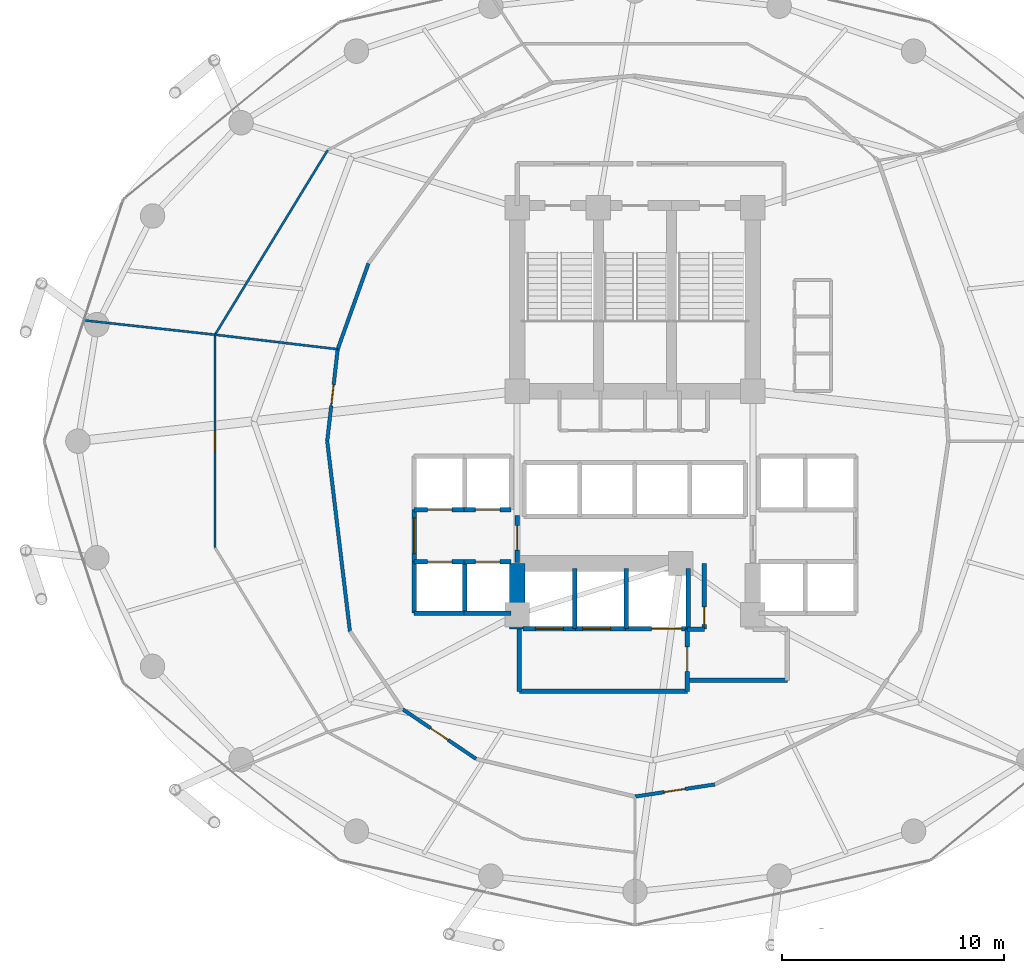
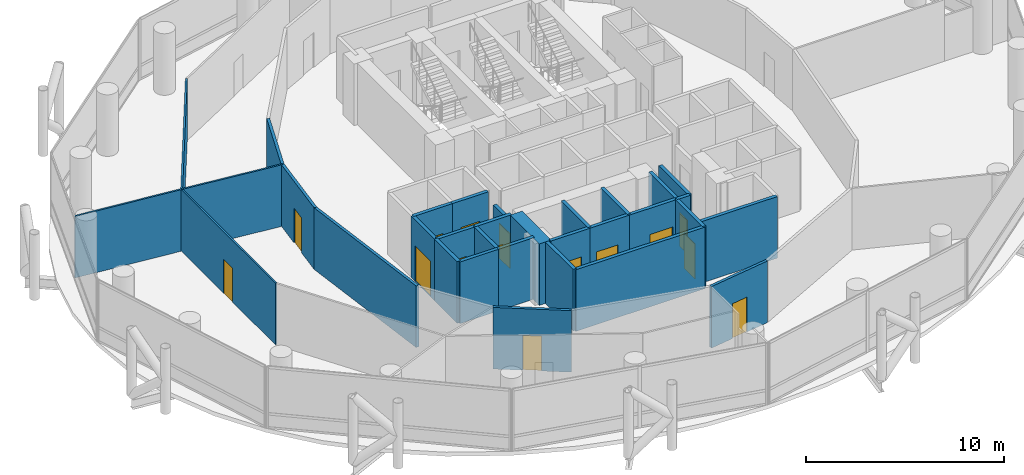
# One storey, part 21 of 25: 32 walls, 15 doors, 15 openings.
"""IFC4 building model written with IfcOpenShell, lengths in metres."""

from ifc_helpers import new_model, si_unit, direction, frame, frame_2d, origin, place, context, subcontext, project, spatial, rectangle, extrude, material, layer, layer_set, type_object, element, fill, save


model = new_model("IFC4")

# Units and contexts
model_context = context("Model", 3, precision=1e-05, world=origin(), true_north=direction((0.0, 1.0)))
body_context = subcontext(model_context, "Body", "Model", "MODEL_VIEW")
ifc_project = project(units=[si_unit("LENGTHUNIT", "METRE"), si_unit("AREAUNIT", "SQUARE_METRE"), si_unit("VOLUMEUNIT", "CUBIC_METRE"), si_unit("PLANEANGLEUNIT", "RADIAN"), si_unit("MASSUNIT", "GRAM", prefix="KILO")], contexts=[model_context])

# Site, building, storey
site_placement = place(None, origin())
site = spatial("IfcSite", under=ifc_project, at=site_placement, CompositionType="ELEMENT")
building_placement = place(site_placement, origin())
building = spatial("IfcBuilding", under=site, at=building_placement, Name="Nuhasar Tower", CompositionType="ELEMENT")
storey_placement = place(building_placement, frame((0.0, 0.0, 65.550048828125)))
storey = spatial("IfcBuildingStorey", under=building, at=storey_placement, Name="L15", CompositionType="ELEMENT", Elevation=65.550048828125)

# Walls
ifc_material_1 = material(Name="Concrete C65/80", Category="concrete")
ifc_layer_1 = layer(ifc_material_1, 0.699951171875)
ifc_layer_set_1 = layer_set([ifc_layer_1], Name="Concrete C65/80")
wall_type_1 = type_object("IfcWallType", Name="WL-CORE-700", PredefinedType="SHEAR", material=ifc_layer_set_1)
wall_1_placement = place(storey_placement, frame((33.699951171875, 18.35009765625, 0.0), z_axis=(0.0, 0.0, 1.0), x_axis=(0.0, 1.0, 0.0)))
element("IfcWall", 1, at=wall_1_placement, inside=storey, type_object=wall_type_1, Name="L15 Core Shear Wall CW-SW CW-700", PredefinedType="SHEAR", context=body_context, shape_type="SweptSolid", body=[
    extrude(rectangle(XDim=2.949951171875, YDim=0.699951171875, at=frame_2d((1.47509765625, 0.0))), origin(), (0.0, 0.0, 1.0), 3.800048828125),
])
ifc_material_2 = material(Name="Gypsum Board", Category="gypsum")
ifc_layer_2 = layer(ifc_material_2, 0.159912109375)
ifc_layer_set_2 = layer_set([ifc_layer_2], Name="Gypsum Board")
wall_type_2 = type_object("IfcWallType", Name="WL-CORR-160", PredefinedType="PARTITIONING", material=ifc_layer_set_2)
wall_2_placement = place(storey_placement, frame((27.013916015625, 34.7900390625, 0.0), z_axis=(0.0, 0.0, 1.0), x_axis=(-0.337507156162, -0.941322962399, 0.0)))
element("IfcWall", 2, at=wall_2_placement, inside=storey, type_object=wall_type_2, Name="L15 Interior Partition CORR-20", PredefinedType="PARTITIONING", context=body_context, shape_type="SweptSolid", body=[
    extrude(rectangle(XDim=4.09423828125, YDim=0.159912109375, at=frame_2d((2.047119140625, 0.0))), origin(), (0.0, 0.0, 1.0), 3.800048828125),
])

# Wall, opening, door
wall_3_placement = place(storey_placement, frame((25.159912109375, 26.800048828125, 0.0), z_axis=(0.0, 0.0, 1.0), x_axis=(0.113424191486, 0.993546653553, 0.0)))
wall_3 = element("IfcWall", 3, at=wall_3_placement, inside=storey, type_object=wall_type_2, Name="L15 Interior Partition CORR-22", PredefinedType="PARTITIONING", context=body_context, shape_type="SweptSolid", body=[
    extrude(rectangle(XDim=4.162841796875, YDim=0.159912109375, at=frame_2d((2.08154296875, 0.0))), origin(), (0.0, 0.0, 1.0), 3.800048828125),
])
opening_1_placement = place(wall_3_placement, frame((1.60595703125, 0.0, 0.0)))
opening_1 = element("IfcOpeningElement", 4, at=opening_1_placement, cuts=wall_3, Name="Opening DO-01", PredefinedType="OPENING", context=body_context, shape_type="SweptSolid", body=[
    extrude(rectangle(XDim=0.949951171875, YDim=2.14990234375, at=frame_2d((0.47509765625, 1.074951171875))), frame((0.0, 0.08984375, 0.0), z_axis=(0.0, -1.0, 0.0), x_axis=(1.0, 0.0, 0.0)), (0.0, 0.0, 1.0), 0.179931640625),
])
ifc_material_3 = material(Name="Timber Oak", Category="wood")
door_type_1 = type_object("IfcDoorType", Name="DR-OFFICE-FD30-950", OperationType="NOTDEFINED", PredefinedType="DOOR", material=ifc_material_3)
door_1_placement = place(opening_1_placement, origin())
door_1 = element("IfcDoor", 5, at=door_1_placement, inside=storey, type_object=door_type_1, Name="L15 Risk Committee Meeting Room Entry Door", OperationType="SINGLE_SWING_LEFT", OverallHeight=2.14990234375, OverallWidth=0.949951171875, PredefinedType="DOOR", context=body_context, shape_type="SweptSolid", body=[
    extrude(rectangle(XDim=0.949951171875, YDim=2.14990234375, at=frame_2d((0.47509765625, 1.074951171875))), frame((0.0, 0.02490234375, 0.0), z_axis=(0.0, -1.0, 0.0), x_axis=(1.0, 0.0, 0.0)), (0.0, 0.0, 1.0), 0.050048828125),
])
fill(opening_1, door_1)

# Wall
wall_4_placement = place(storey_placement, frame((25.159912109375, 26.800048828125, 0.0), z_axis=(0.0, 0.0, 1.0), x_axis=(0.11875033489, -0.992924145121, 0.0)))
element("IfcWall", 6, at=wall_4_placement, inside=storey, type_object=wall_type_2, Name="L15 Interior Partition CORR-24", PredefinedType="PARTITIONING", context=body_context, shape_type="SweptSolid", body=[
    extrude(rectangle(XDim=8.60595703125, YDim=0.159912109375, at=frame_2d((4.302978515625, 0.0))), origin(), (0.0, 0.0, 1.0), 3.800048828125),
])

# Wall, opening, door
wall_5_placement = place(storey_placement, frame((31.85595703125, 12.513916015625, 0.0), z_axis=(0.0, 0.0, 1.0), x_axis=(-0.828313553284, 0.560264810108, 0.0)))
wall_5 = element("IfcWall", 7, at=wall_5_placement, inside=storey, type_object=wall_type_2, Name="L15 Interior Partition CORR-30", PredefinedType="PARTITIONING", context=body_context, shape_type="SweptSolid", body=[
    extrude(rectangle(XDim=3.980224609375, YDim=0.159912109375, at=frame_2d((1.990234375, 0.0))), origin(), (0.0, 0.0, 1.0), 3.800048828125),
])
opening_2_placement = place(wall_5_placement, frame((1.514892578125, 0.0, 0.0)))
opening_2 = element("IfcOpeningElement", 8, at=opening_2_placement, cuts=wall_5, Name="Opening DO-01", PredefinedType="OPENING", context=body_context, shape_type="SweptSolid", body=[
    extrude(rectangle(XDim=0.949951171875, YDim=2.14990234375, at=frame_2d((0.47509765625, 1.074951171875))), frame((0.0, 0.08984375, 0.0), z_axis=(0.0, -1.0, 0.0), x_axis=(1.0, 0.0, 0.0)), (0.0, 0.0, 1.0), 0.179931640625),
])
door_2_placement = place(opening_2_placement, origin())
door_2 = element("IfcDoor", 9, at=door_2_placement, inside=storey, type_object=door_type_1, Name="L15 Econometrics Research Office Entry Door", OperationType="SINGLE_SWING_RIGHT", OverallHeight=2.14990234375, OverallWidth=0.949951171875, PredefinedType="DOOR", context=body_context, shape_type="SweptSolid", body=[
    extrude(rectangle(XDim=0.949951171875, YDim=2.14990234375, at=frame_2d((0.47509765625, 1.074951171875))), frame((0.0, 0.02490234375, 0.0), z_axis=(0.0, -1.0, 0.0), x_axis=(1.0, 0.0, 0.0)), (0.0, 0.0, 1.0), 0.050048828125),
])
fill(opening_2, door_2)

wall_6_placement = place(storey_placement, frame((42.58203125, 11.364990234375, 0.0), z_axis=(0.0, 0.0, 1.0), x_axis=(-0.988625807883, -0.150396183424, 0.0)))
wall_6 = element("IfcWall", 10, at=wall_6_placement, inside=storey, type_object=wall_type_2, Name="L15 Interior Partition CORR-36", PredefinedType="PARTITIONING", context=body_context, shape_type="SweptSolid", body=[
    extrude(rectangle(XDim=3.623291015625, YDim=0.159912109375, at=frame_2d((1.8115234375, 0.0))), origin(), (0.0, 0.0, 1.0), 3.800048828125),
])
opening_3_placement = place(wall_6_placement, frame((1.3369140625, 0.0, 0.0)))
opening_3 = element("IfcOpeningElement", 11, at=opening_3_placement, cuts=wall_6, Name="Opening DO-01", PredefinedType="OPENING", context=body_context, shape_type="SweptSolid", body=[
    extrude(rectangle(XDim=0.949951171875, YDim=2.14990234375, at=frame_2d((0.47509765625, 1.074951171875))), frame((0.0, 0.08984375, 0.0), z_axis=(0.0, -1.0, 0.0), x_axis=(1.0, 0.0, 0.0)), (0.0, 0.0, 1.0), 0.179931640625),
])
door_3_placement = place(opening_3_placement, origin())
door_3 = element("IfcDoor", 12, at=door_3_placement, inside=storey, type_object=door_type_1, Name="L15 Trader Bistro Pantry Entry Door", OperationType="SINGLE_SWING_RIGHT", OverallHeight=2.14990234375, OverallWidth=0.949951171875, PredefinedType="DOOR", context=body_context, shape_type="SweptSolid", body=[
    extrude(rectangle(XDim=0.949951171875, YDim=2.14990234375, at=frame_2d((0.47509765625, 1.074951171875))), frame((0.0, 0.02490234375, 0.0), z_axis=(0.0, -1.0, 0.0), x_axis=(1.0, 0.0, 0.0)), (0.0, 0.0, 1.0), 0.050048828125),
])
fill(opening_3, door_3)

ifc_material_4 = material(Name="Concrete C45/55", Category="concrete")
ifc_layer_3 = layer(ifc_material_4, 0.199951171875)
ifc_layer_set_3 = layer_set([ifc_layer_3], Name="Concrete C45/55")
wall_type_3 = type_object("IfcWallType", Name="WL-LOBBY-200", PredefinedType="SOLIDWALL", material=ifc_layer_set_3)
wall_7_placement = place(storey_placement, frame((29.070068359375, 21.3798828125, 0.0), z_axis=(0.0, 0.0, 1.0), x_axis=(0.0, 1.0, 0.0)))
wall_7 = element("IfcWall", 13, at=wall_7_placement, inside=storey, type_object=wall_type_3, Name="L15 Interior Partition LLBL-W", PredefinedType="SOLIDWALL", context=body_context, shape_type="SweptSolid", body=[
    extrude(rectangle(XDim=2.340087890625, YDim=0.199951171875, at=frame_2d((1.169921875, 0.0))), origin(), (0.0, 0.0, 1.0), 3.800048828125),
])
opening_4_placement = place(wall_7_placement, frame((0.3701171875, 0.0, 0.0)))
opening_4 = element("IfcOpeningElement", 14, at=opening_4_placement, cuts=wall_7, Name="Opening DC-01", PredefinedType="OPENING", context=body_context, shape_type="SweptSolid", body=[
    extrude(rectangle(XDim=1.60009765625, YDim=2.199951171875, at=frame_2d((0.800048828125, 1.10009765625))), frame((0.0, 0.10986328125, 0.0), z_axis=(0.0, -1.0, 0.0), x_axis=(1.0, 0.0, 0.0)), (0.0, 0.0, 1.0), 0.219970703125),
])
ifc_material_5 = material(Name="Steel S355", Category="steel")
door_type_2 = type_object("IfcDoorType", Name="DR-CORR-FD60-1600", OperationType="DOUBLE_DOOR_SINGLE_SWING", PredefinedType="DOOR", material=ifc_material_5)
door_4_placement = place(opening_4_placement, origin())
door_4 = element("IfcDoor", 15, at=door_4_placement, inside=storey, type_object=door_type_2, Name="L15 Low-Rise Lift Lobby West Entry", OperationType="DOUBLE_DOOR_SINGLE_SWING", OverallHeight=2.199951171875, OverallWidth=1.60009765625, PredefinedType="DOOR", context=body_context, shape_type="SweptSolid", body=[
    extrude(rectangle(XDim=1.60009765625, YDim=2.199951171875, at=frame_2d((0.800048828125, 1.10009765625))), frame((0.0, 0.02490234375, 0.0), z_axis=(0.0, -1.0, 0.0), x_axis=(1.0, 0.0, 0.0)), (0.0, 0.0, 1.0), 0.050048828125),
])
fill(opening_4, door_4)

wall_8_placement = place(storey_placement, frame((33.699951171875, 21.35009765625, 0.0), z_axis=(0.0, 0.0, 1.0), x_axis=(0.0, 1.0, 0.0)))
wall_8 = element("IfcWall", 16, at=wall_8_placement, inside=storey, type_object=wall_type_3, Name="L15 Interior Partition LLBH-W", PredefinedType="SOLIDWALL", context=body_context, shape_type="SweptSolid", body=[
    extrude(rectangle(XDim=2.099853515625, YDim=0.199951171875, at=frame_2d((1.0498046875, 0.0))), origin(), (0.0, 0.0, 1.0), 3.02001953125),
])
opening_5_placement = place(wall_8_placement, frame((0.550048828125, 0.0, 0.0)))
opening_5 = element("IfcOpeningElement", 17, at=opening_5_placement, cuts=wall_8, Name="Opening DS-02", PredefinedType="OPENING", context=body_context, shape_type="SweptSolid", body=[
    extrude(rectangle(XDim=1.10009765625, YDim=2.14990234375, at=frame_2d((0.550048828125, 1.074951171875))), frame((0.0, 0.10986328125, 0.0), z_axis=(0.0, -1.0, 0.0), x_axis=(1.0, 0.0, 0.0)), (0.0, 0.0, 1.0), 0.219970703125),
])
door_type_3 = type_object("IfcDoorType", Name="DR-FFL-FD120-1100", OperationType="NOTDEFINED", PredefinedType="DOOR", material=ifc_material_5)
door_5_placement = place(opening_5_placement, origin())
door_5 = element("IfcDoor", 18, at=door_5_placement, inside=storey, type_object=door_type_3, Name="L15 High-Rise Lobby West Door", OperationType="SINGLE_SWING_RIGHT", OverallHeight=2.14990234375, OverallWidth=1.10009765625, PredefinedType="DOOR", context=body_context, shape_type="SweptSolid", body=[
    extrude(rectangle(XDim=1.10009765625, YDim=2.14990234375, at=frame_2d((0.550048828125, 1.074951171875))), frame((0.0, 0.02490234375, 0.0), z_axis=(0.0, -1.0, 0.0), x_axis=(1.0, 0.0, 0.0)), (0.0, 0.0, 1.0), 0.050048828125),
])
fill(opening_5, door_5)

# Walls
wall_9_placement = place(storey_placement, frame((33.800048828125, 15.550048828125, 0.0), z_axis=(0.0, 0.0, 1.0), x_axis=(1.0, 0.0, 0.0)))
element("IfcWall", 19, at=wall_9_placement, inside=storey, type_object=wall_type_3, Name="L15 Interior Partition FFL-S", PredefinedType="SOLIDWALL", context=body_context, shape_type="SweptSolid", body=[
    extrude(rectangle(XDim=7.550048828125, YDim=0.199951171875, at=frame_2d((3.77490234375, 0.0))), origin(), (0.0, 0.0, 1.0), 3.800048828125),
])
wall_10_placement = place(storey_placement, frame((33.800048828125, 15.550048828125, 0.0), z_axis=(0.0, 0.0, 1.0), x_axis=(0.0, 1.0, 0.0)))
element("IfcWall", 20, at=wall_10_placement, inside=storey, type_object=wall_type_3, Name="L15 Interior Partition FFL-W", PredefinedType="SOLIDWALL", context=body_context, shape_type="SweptSolid", body=[
    extrude(rectangle(XDim=2.800048828125, YDim=0.199951171875, at=frame_2d((1.39990234375, 0.0))), origin(), (0.0, 0.0, 1.0), 3.800048828125),
])

# Wall, opening, door
wall_11_placement = place(storey_placement, frame((41.35009765625, 15.550048828125, 0.0), z_axis=(0.0, 0.0, 1.0), x_axis=(0.0, 1.0, 0.0)))
wall_11 = element("IfcWall", 21, at=wall_11_placement, inside=storey, type_object=wall_type_3, Name="L15 Interior Partition FFL-E", PredefinedType="SOLIDWALL", context=body_context, shape_type="SweptSolid", body=[
    extrude(rectangle(XDim=2.800048828125, YDim=0.199951171875, at=frame_2d((1.39990234375, 0.0))), origin(), (0.0, 0.0, 1.0), 3.800048828125),
])
opening_6_placement = place(wall_11_placement, frame((0.89990234375, 0.0, 0.0)))
opening_6 = element("IfcOpeningElement", 22, at=opening_6_placement, cuts=wall_11, Name="Opening DS-02", PredefinedType="OPENING", context=body_context, shape_type="SweptSolid", body=[
    extrude(rectangle(XDim=1.10009765625, YDim=2.14990234375, at=frame_2d((0.550048828125, 1.074951171875))), frame((0.0, 0.10986328125, 0.0), z_axis=(0.0, -1.0, 0.0), x_axis=(1.0, 0.0, 0.0)), (0.0, 0.0, 1.0), 0.219970703125),
])
door_6_placement = place(opening_6_placement, origin())
door_6 = element("IfcDoor", 23, at=door_6_placement, inside=storey, type_object=door_type_3, Name="L15 Firefighting Lobby Door", OperationType="SINGLE_SWING_RIGHT", OverallHeight=2.14990234375, OverallWidth=1.10009765625, PredefinedType="DOOR", context=body_context, shape_type="SweptSolid", body=[
    extrude(rectangle(XDim=1.10009765625, YDim=2.14990234375, at=frame_2d((0.550048828125, 1.074951171875))), frame((0.0, 0.02490234375, 0.0), z_axis=(0.0, -1.0, 0.0), x_axis=(1.0, 0.0, 0.0)), (0.0, 0.0, 1.0), 0.050048828125),
])
fill(opening_6, door_6)

# Walls
wall_12_placement = place(storey_placement, frame((41.35009765625, 16.050048828125, 0.0), z_axis=(0.0, 0.0, 1.0), x_axis=(1.0, 0.0, 0.0)))
element("IfcWall", 24, at=wall_12_placement, inside=storey, type_object=wall_type_3, Name="L15 Interior Partition SVLV-S", PredefinedType="SOLIDWALL", context=body_context, shape_type="SweptSolid", body=[
    extrude(rectangle(XDim=4.5, YDim=0.199951171875, at=frame_2d((2.25, 0.0))), origin(), (0.0, 0.0, 1.0), 3.800048828125),
])
ifc_material_6 = material(Name="Aluminium 6063-T6", Category="aluminium")
ifc_layer_4 = layer(ifc_material_6, 0.10009765625)
ifc_layer_set_4 = layer_set([ifc_layer_4], Name="Aluminium 6063-T6")
wall_type_4 = type_object("IfcWallType", Name="WL-MOVABLE-100", PredefinedType="MOVABLE", material=ifc_layer_set_4)
wall_13_placement = place(storey_placement, frame((25.176025390625, 39.8798828125, 0.0), z_axis=(0.0, 0.0, 1.0), x_axis=(-0.520904998728, -0.853614656798, 0.0)))
element("IfcWall", 25, at=wall_13_placement, inside=storey, type_object=wall_type_4, Name="L15 Interior Partition OMID-03-18", PredefinedType="MOVABLE", context=body_context, shape_type="SweptSolid", body=[
    extrude(rectangle(XDim=9.7138671875, YDim=0.10009765625, at=frame_2d((4.85693359375, 0.0))), origin(), (0.0, 0.0, 1.0), 3.800048828125),
])
wall_14_placement = place(storey_placement, frame((25.632080078125, 30.93603515625, 0.0), z_axis=(0.0, 0.0, 1.0), x_axis=(-0.993089865622, 0.117356375197, 0.0)))
element("IfcWall", 26, at=wall_14_placement, inside=storey, type_object=wall_type_4, Name="L15 Interior Partition ORAD-22-S1", PredefinedType="MOVABLE", context=body_context, shape_type="SweptSolid", body=[
    extrude(rectangle(XDim=5.554443359375, YDim=0.10009765625, at=frame_2d((2.77734375, 0.0))), origin(), (0.0, 0.0, 1.0), 3.800048828125),
])
wall_15_placement = place(storey_placement, frame((20.115966796875, 31.587890625, 0.0), z_axis=(0.0, 0.0, 1.0), x_axis=(-0.994040689629, 0.109009666368, 0.0)))
element("IfcWall", 27, at=wall_15_placement, inside=storey, type_object=wall_type_4, Name="L15 Interior Partition ORAD-22-S2", PredefinedType="MOVABLE", context=body_context, shape_type="SweptSolid", body=[
    extrude(rectangle(XDim=5.899169921875, YDim=0.10009765625, at=frame_2d((2.94970703125, 0.0))), origin(), (0.0, 0.0, 1.0), 3.800048828125),
])

# Wall, opening, door
wall_16_placement = place(storey_placement, frame((20.115966796875, 22.011962890625, 0.0), z_axis=(0.0, 0.0, 1.0), x_axis=(0.0, 1.0, 0.0)))
wall_16 = element("IfcWall", 28, at=wall_16_placement, inside=storey, type_object=wall_type_4, Name="L15 Interior Partition OMID-04-22", PredefinedType="MOVABLE", context=body_context, shape_type="SweptSolid", body=[
    extrude(rectangle(XDim=9.575927734375, YDim=0.10009765625, at=frame_2d((4.7880859375, 0.0))), origin(), (0.0, 0.0, 1.0), 3.800048828125),
])
opening_7_placement = place(wall_16_placement, frame((4.337890625, 0.0, 0.0)))
opening_7 = element("IfcOpeningElement", 29, at=opening_7_placement, cuts=wall_16, Name="Opening DR-01", PredefinedType="OPENING", context=body_context, shape_type="SweptSolid", body=[
    extrude(rectangle(XDim=0.89990234375, YDim=2.10009765625, at=frame_2d((0.449951171875, 1.050048828125))), frame((0.0, 0.06005859375, 0.0), z_axis=(0.0, -1.0, 0.0), x_axis=(1.0, 0.0, 0.0)), (0.0, 0.0, 1.0), 0.1201171875),
])
door_type_4 = type_object("IfcDoorType", Name="DR-ROOM-900", OperationType="NOTDEFINED", PredefinedType="DOOR", material=ifc_material_3)
door_7_placement = place(opening_7_placement, origin())
door_7 = element("IfcDoor", 30, at=door_7_placement, inside=storey, type_object=door_type_4, Name="L15 Risk Committee Meeting Room Inner Door", OperationType="SINGLE_SWING_LEFT", OverallHeight=2.10009765625, OverallWidth=0.89990234375, PredefinedType="DOOR", context=body_context, shape_type="SweptSolid", body=[
    extrude(rectangle(XDim=0.89990234375, YDim=2.10009765625, at=frame_2d((0.449951171875, 1.050048828125))), frame((0.0, 0.02490234375, 0.0), z_axis=(0.0, -1.0, 0.0), x_axis=(1.0, 0.0, 0.0)), (0.0, 0.0, 1.0), 0.050048828125),
])
fill(opening_7, door_7)

ifc_layer_5 = layer(ifc_material_4, 0.199951171875)
ifc_layer_set_5 = layer_set([ifc_layer_5], Name="Concrete C45/55")
wall_type_5 = type_object("IfcWallType", Name="WL-SHAFT-200", PredefinedType="SOLIDWALL", material=ifc_layer_set_5)
wall_17_placement = place(storey_placement, frame((29.070068359375, 23.719970703125, 0.0), z_axis=(0.0, 0.0, 1.0), x_axis=(1.0, 0.0, 0.0)))
wall_17 = element("IfcWall", 31, at=wall_17_placement, inside=storey, type_object=wall_type_5, Name="L15 Interior Partition SHF-PL-L01-S", PredefinedType="SOLIDWALL", context=body_context, shape_type="SweptSolid", body=[
    extrude(rectangle(XDim=2.309814453125, YDim=0.199951171875, at=frame_2d((1.15478515625, 0.0))), origin(), (0.0, 0.0, 1.0), 3.800048828125),
])
opening_8_placement = place(wall_17_placement, frame((0.60498046875, 0.0, 0.0)))
opening_8 = element("IfcOpeningElement", 32, at=opening_8_placement, cuts=wall_17, Name="Opening LD-L01", PredefinedType="OPENING", context=body_context, shape_type="SweptSolid", body=[
    extrude(rectangle(XDim=1.10009765625, YDim=2.14990234375, at=frame_2d((0.550048828125, 1.074951171875))), frame((0.0, 0.10986328125, 0.0), z_axis=(0.0, -1.0, 0.0), x_axis=(1.0, 0.0, 0.0)), (0.0, 0.0, 1.0), 0.219970703125),
])
ifc_material_7 = material(Name="Stainless Steel 316L", Category="steel")
door_type_5 = type_object("IfcDoorType", Name="LD-PAX-1100", OperationType="DOUBLE_DOOR_SLIDING", PredefinedType="DOOR", material=ifc_material_7)
door_8_placement = place(opening_8_placement, origin())
door_8 = element("IfcDoor", 33, at=door_8_placement, inside=storey, type_object=door_type_5, Name="L15 Lift Landing Door PL-L01", OperationType="DOUBLE_DOOR_SLIDING", OverallHeight=2.14990234375, OverallWidth=1.10009765625, PredefinedType="DOOR", context=body_context, shape_type="SweptSolid", body=[
    extrude(rectangle(XDim=1.10009765625, YDim=2.14990234375, at=frame_2d((0.550048828125, 1.074951171875))), frame((0.0, 0.02490234375, 0.0), z_axis=(0.0, -1.0, 0.0), x_axis=(1.0, 0.0, 0.0)), (0.0, 0.0, 1.0), 0.050048828125),
])
fill(opening_8, door_8)

wall_18_placement = place(storey_placement, frame((31.320068359375, 23.719970703125, 0.0), z_axis=(0.0, 0.0, 1.0), x_axis=(1.0, 0.0, 0.0)))
wall_18 = element("IfcWall", 34, at=wall_18_placement, inside=storey, type_object=wall_type_5, Name="L15 Interior Partition SHF-PL-L02-S", PredefinedType="SOLIDWALL", context=body_context, shape_type="SweptSolid", body=[
    extrude(rectangle(XDim=2.10986328125, YDim=0.199951171875, at=frame_2d((1.054931640625, 0.0))), origin(), (0.0, 0.0, 1.0), 3.800048828125),
])
opening_9_placement = place(wall_18_placement, frame((0.5048828125, 0.0, 0.0)))
opening_9 = element("IfcOpeningElement", 35, at=opening_9_placement, cuts=wall_18, Name="Opening LD-L02", PredefinedType="OPENING", context=body_context, shape_type="SweptSolid", body=[
    extrude(rectangle(XDim=1.10009765625, YDim=2.14990234375, at=frame_2d((0.550048828125, 1.074951171875))), frame((0.0, 0.10986328125, 0.0), z_axis=(0.0, -1.0, 0.0), x_axis=(1.0, 0.0, 0.0)), (0.0, 0.0, 1.0), 0.219970703125),
])
door_9_placement = place(opening_9_placement, origin())
door_9 = element("IfcDoor", 36, at=door_9_placement, inside=storey, type_object=door_type_5, Name="L15 Lift Landing Door PL-L02", OperationType="DOUBLE_DOOR_SLIDING", OverallHeight=2.14990234375, OverallWidth=1.10009765625, PredefinedType="DOOR", context=body_context, shape_type="SweptSolid", body=[
    extrude(rectangle(XDim=1.10009765625, YDim=2.14990234375, at=frame_2d((0.550048828125, 1.074951171875))), frame((0.0, 0.02490234375, 0.0), z_axis=(0.0, -1.0, 0.0), x_axis=(1.0, 0.0, 0.0)), (0.0, 0.0, 1.0), 0.050048828125),
])
fill(opening_9, door_9)

# Wall
wall_19_placement = place(storey_placement, frame((29.070068359375, 19.070068359375, 0.0), z_axis=(0.0, 0.0, 1.0), x_axis=(1.0, 0.0, 0.0)))
element("IfcWall", 37, at=wall_19_placement, inside=storey, type_object=wall_type_5, Name="L15 Interior Partition SHF-PL-L03-S", PredefinedType="SOLIDWALL", context=body_context, shape_type="SweptSolid", body=[
    extrude(rectangle(XDim=2.309814453125, YDim=0.199951171875, at=frame_2d((1.15478515625, 0.0))), origin(), (0.0, 0.0, 1.0), 3.800048828125),
])

# Wall, opening, door
wall_20_placement = place(storey_placement, frame((29.070068359375, 21.3798828125, 0.0), z_axis=(0.0, 0.0, 1.0), x_axis=(1.0, 0.0, 0.0)))
wall_20 = element("IfcWall", 38, at=wall_20_placement, inside=storey, type_object=wall_type_5, Name="L15 Interior Partition SHF-PL-L03-N", PredefinedType="SOLIDWALL", context=body_context, shape_type="SweptSolid", body=[
    extrude(rectangle(XDim=2.309814453125, YDim=0.199951171875, at=frame_2d((1.15478515625, 0.0))), origin(), (0.0, 0.0, 1.0), 3.800048828125),
])
opening_10_placement = place(wall_20_placement, frame((0.60498046875, 0.0, 0.0)))
opening_10 = element("IfcOpeningElement", 39, at=opening_10_placement, cuts=wall_20, Name="Opening LD-L03", PredefinedType="OPENING", context=body_context, shape_type="SweptSolid", body=[
    extrude(rectangle(XDim=1.10009765625, YDim=2.14990234375, at=frame_2d((0.550048828125, 1.074951171875))), frame((0.0, 0.10986328125, 0.0), z_axis=(0.0, -1.0, 0.0), x_axis=(1.0, 0.0, 0.0)), (0.0, 0.0, 1.0), 0.219970703125),
])
door_10_placement = place(opening_10_placement, origin())
door_10 = element("IfcDoor", 40, at=door_10_placement, inside=storey, type_object=door_type_5, Name="L15 Lift Landing Door PL-L03", OperationType="DOUBLE_DOOR_SLIDING", OverallHeight=2.14990234375, OverallWidth=1.10009765625, PredefinedType="DOOR", context=body_context, shape_type="SweptSolid", body=[
    extrude(rectangle(XDim=1.10009765625, YDim=2.14990234375, at=frame_2d((0.550048828125, 1.074951171875))), frame((0.0, 0.02490234375, 0.0), z_axis=(0.0, -1.0, 0.0), x_axis=(1.0, 0.0, 0.0)), (0.0, 0.0, 1.0), 0.050048828125),
])
fill(opening_10, door_10)

# Walls
for number, where, z_axis, x_axis, name in (
    (41, (29.070068359375, 19.070068359375, 0.0), (0.0, 0.0, 1.0), (0.0, 1.0, 0.0), "L15 Interior Partition SHF-PL-L03-W"),
    (42, (31.35009765625, 19.070068359375, 0.0), (0.0, 0.0, 1.0), (0.0, 1.0, 0.0), "L15 Interior Partition SHF-PL-L03-E"),
):
    element("IfcWall", number, at=place(storey_placement, frame(where, z_axis=z_axis, x_axis=x_axis)), inside=storey, type_object=wall_type_5, Name=name, PredefinedType="SOLIDWALL", context=body_context, shape_type="SweptSolid", body=[
        extrude(rectangle(XDim=2.309814453125, YDim=0.199951171875, at=frame_2d((1.15478515625, 0.0))), origin(), (0.0, 0.0, 1.0), 3.800048828125),
    ])
wall_21_placement = place(storey_placement, frame((31.320068359375, 19.070068359375, 0.0), z_axis=(0.0, 0.0, 1.0), x_axis=(1.0, 0.0, 0.0)))
element("IfcWall", 43, at=wall_21_placement, inside=storey, type_object=wall_type_5, Name="L15 Interior Partition SHF-PL-L04-S", PredefinedType="SOLIDWALL", context=body_context, shape_type="SweptSolid", body=[
    extrude(rectangle(XDim=2.10986328125, YDim=0.199951171875, at=frame_2d((1.054931640625, 0.0))), origin(), (0.0, 0.0, 1.0), 3.800048828125),
])

# Wall, opening, door
wall_22_placement = place(storey_placement, frame((31.320068359375, 21.3798828125, 0.0), z_axis=(0.0, 0.0, 1.0), x_axis=(1.0, 0.0, 0.0)))
wall_22 = element("IfcWall", 44, at=wall_22_placement, inside=storey, type_object=wall_type_5, Name="L15 Interior Partition SHF-PL-L04-N", PredefinedType="SOLIDWALL", context=body_context, shape_type="SweptSolid", body=[
    extrude(rectangle(XDim=2.10986328125, YDim=0.199951171875, at=frame_2d((1.054931640625, 0.0))), origin(), (0.0, 0.0, 1.0), 3.800048828125),
])
opening_11_placement = place(wall_22_placement, frame((0.5048828125, 0.0, 0.0)))
opening_11 = element("IfcOpeningElement", 45, at=opening_11_placement, cuts=wall_22, Name="Opening LD-L04", PredefinedType="OPENING", context=body_context, shape_type="SweptSolid", body=[
    extrude(rectangle(XDim=1.10009765625, YDim=2.14990234375, at=frame_2d((0.550048828125, 1.074951171875))), frame((0.0, 0.10986328125, 0.0), z_axis=(0.0, -1.0, 0.0), x_axis=(1.0, 0.0, 0.0)), (0.0, 0.0, 1.0), 0.219970703125),
])
door_11_placement = place(opening_11_placement, origin())
door_11 = element("IfcDoor", 46, at=door_11_placement, inside=storey, type_object=door_type_5, Name="L15 Lift Landing Door PL-L04", OperationType="DOUBLE_DOOR_SLIDING", OverallHeight=2.14990234375, OverallWidth=1.10009765625, PredefinedType="DOOR", context=body_context, shape_type="SweptSolid", body=[
    extrude(rectangle(XDim=1.10009765625, YDim=2.14990234375, at=frame_2d((0.550048828125, 1.074951171875))), frame((0.0, 0.02490234375, 0.0), z_axis=(0.0, -1.0, 0.0), x_axis=(1.0, 0.0, 0.0)), (0.0, 0.0, 1.0), 0.050048828125),
])
fill(opening_11, door_11)

wall_23_placement = place(storey_placement, frame((33.969970703125, 18.3701171875, 0.0), z_axis=(0.0, 0.0, 1.0), x_axis=(1.0, 0.0, 0.0)))
wall_23 = element("IfcWall", 47, at=wall_23_placement, inside=storey, type_object=wall_type_5, Name="L15 Interior Partition SHF-FFL-01-S", PredefinedType="SOLIDWALL", context=body_context, shape_type="SweptSolid", body=[
    extrude(rectangle(XDim=2.360107421875, YDim=0.199951171875, at=frame_2d((1.18017578125, 0.0))), origin(), (0.0, 0.0, 1.0), 3.800048828125),
])
opening_12_placement = place(wall_23_placement, frame((0.554931640625, 0.0, 0.0)))
opening_12 = element("IfcOpeningElement", 48, at=opening_12_placement, cuts=wall_23, Name="Opening LD-F01", PredefinedType="OPENING", context=body_context, shape_type="SweptSolid", body=[
    extrude(rectangle(XDim=1.25, YDim=2.199951171875, at=frame_2d((0.625, 1.10009765625))), frame((0.0, 0.10986328125, 0.0), z_axis=(0.0, -1.0, 0.0), x_axis=(1.0, 0.0, 0.0)), (0.0, 0.0, 1.0), 0.219970703125),
])
door_type_6 = type_object("IfcDoorType", Name="LD-FFL-1250", OperationType="DOUBLE_DOOR_SLIDING", PredefinedType="DOOR", material=ifc_material_7)
door_12_placement = place(opening_12_placement, origin())
door_12 = element("IfcDoor", 49, at=door_12_placement, inside=storey, type_object=door_type_6, Name="L15 Lift Landing Door FFL-01", OperationType="DOUBLE_DOOR_SLIDING", OverallHeight=2.199951171875, OverallWidth=1.25, PredefinedType="DOOR", context=body_context, shape_type="SweptSolid", body=[
    extrude(rectangle(XDim=1.25, YDim=2.199951171875, at=frame_2d((0.625, 1.10009765625))), frame((0.0, 0.02490234375, 0.0), z_axis=(0.0, -1.0, 0.0), x_axis=(1.0, 0.0, 0.0)), (0.0, 0.0, 1.0), 0.050048828125),
])
fill(opening_12, door_12)

# Wall
wall_24_placement = place(storey_placement, frame((36.300048828125, 18.3701171875, 0.0), z_axis=(0.0, 0.0, 1.0), x_axis=(0.0, 1.0, 0.0)))
element("IfcWall", 50, at=wall_24_placement, inside=storey, type_object=wall_type_5, Name="L15 Interior Partition SHF-FFL-01-E", PredefinedType="SOLIDWALL", context=body_context, shape_type="SweptSolid", body=[
    extrude(rectangle(XDim=2.7099609375, YDim=0.199951171875, at=frame_2d((1.35498046875, 0.0))), origin(), (0.0, 0.0, 1.0), 3.800048828125),
])

# Wall, opening, door
wall_25_placement = place(storey_placement, frame((36.27001953125, 18.3701171875, 0.0), z_axis=(0.0, 0.0, 1.0), x_axis=(1.0, 0.0, 0.0)))
wall_25 = element("IfcWall", 51, at=wall_25_placement, inside=storey, type_object=wall_type_5, Name="L15 Interior Partition SHF-FFL-02-S", PredefinedType="SOLIDWALL", context=body_context, shape_type="SweptSolid", body=[
    extrude(rectangle(XDim=2.35986328125, YDim=0.199951171875, at=frame_2d((1.179931640625, 0.0))), origin(), (0.0, 0.0, 1.0), 3.800048828125),
])
opening_13_placement = place(wall_25_placement, frame((0.3798828125, 0.0, 0.0)))
opening_13 = element("IfcOpeningElement", 52, at=opening_13_placement, cuts=wall_25, Name="Opening LD-F02", PredefinedType="OPENING", context=body_context, shape_type="SweptSolid", body=[
    extrude(rectangle(XDim=1.25, YDim=2.199951171875, at=frame_2d((0.625, 1.10009765625))), frame((0.0, 0.10986328125, 0.0), z_axis=(0.0, -1.0, 0.0), x_axis=(1.0, 0.0, 0.0)), (0.0, 0.0, 1.0), 0.219970703125),
])
door_13_placement = place(opening_13_placement, origin())
door_13 = element("IfcDoor", 53, at=door_13_placement, inside=storey, type_object=door_type_6, Name="L15 Lift Landing Door FFL-02", OperationType="DOUBLE_DOOR_SLIDING", OverallHeight=2.199951171875, OverallWidth=1.25, PredefinedType="DOOR", context=body_context, shape_type="SweptSolid", body=[
    extrude(rectangle(XDim=1.25, YDim=2.199951171875, at=frame_2d((0.625, 1.10009765625))), frame((0.0, 0.02490234375, 0.0), z_axis=(0.0, -1.0, 0.0), x_axis=(1.0, 0.0, 0.0)), (0.0, 0.0, 1.0), 0.050048828125),
])
fill(opening_13, door_13)

# Wall
wall_26_placement = place(storey_placement, frame((38.60009765625, 18.3701171875, 0.0), z_axis=(0.0, 0.0, 1.0), x_axis=(0.0, 1.0, 0.0)))
element("IfcWall", 54, at=wall_26_placement, inside=storey, type_object=wall_type_5, Name="L15 Interior Partition SHF-FFL-02-E", PredefinedType="SOLIDWALL", context=body_context, shape_type="SweptSolid", body=[
    extrude(rectangle(XDim=2.7099609375, YDim=0.199951171875, at=frame_2d((1.35498046875, 0.0))), origin(), (0.0, 0.0, 1.0), 3.800048828125),
])

# Wall, opening, door
wall_27_placement = place(storey_placement, frame((38.570068359375, 18.3701171875, 0.0), z_axis=(0.0, 0.0, 1.0), x_axis=(1.0, 0.0, 0.0)))
wall_27 = element("IfcWall", 55, at=wall_27_placement, inside=storey, type_object=wall_type_5, Name="L15 Interior Partition SHF-SVL-01-S", PredefinedType="SOLIDWALL", context=body_context, shape_type="SweptSolid", body=[
    extrude(rectangle(XDim=2.829833984375, YDim=0.199951171875, at=frame_2d((1.4150390625, 0.0))), origin(), (0.0, 0.0, 1.0), 3.800048828125),
])
opening_14_placement = place(wall_27_placement, frame((1.179931640625, 0.0, 0.0)))
opening_14 = element("IfcOpeningElement", 56, at=opening_14_placement, cuts=wall_27, Name="Opening LD-S01", PredefinedType="OPENING", context=body_context, shape_type="SweptSolid", body=[
    extrude(rectangle(XDim=1.35009765625, YDim=2.179931640625, at=frame_2d((0.675048828125, 1.08984375))), frame((0.0, 0.10986328125, 0.0), z_axis=(0.0, -1.0, 0.0), x_axis=(1.0, 0.0, 0.0)), (0.0, 0.0, 1.0), 0.219970703125),
])
door_type_7 = type_object("IfcDoorType", Name="LD-SVL-1350", OperationType="DOUBLE_DOOR_SLIDING", PredefinedType="DOOR", material=ifc_material_7)
door_14_placement = place(opening_14_placement, origin())
door_14 = element("IfcDoor", 57, at=door_14_placement, inside=storey, type_object=door_type_7, Name="L15 Lift Landing Door SVL-01", OperationType="DOUBLE_DOOR_SLIDING", OverallHeight=2.179931640625, OverallWidth=1.35009765625, PredefinedType="DOOR", context=body_context, shape_type="SweptSolid", body=[
    extrude(rectangle(XDim=1.35009765625, YDim=2.179931640625, at=frame_2d((0.675048828125, 1.08984375))), frame((0.0, 0.02490234375, 0.0), z_axis=(0.0, -1.0, 0.0), x_axis=(1.0, 0.0, 0.0)), (0.0, 0.0, 1.0), 0.050048828125),
])
fill(opening_14, door_14)

# Wall
wall_28_placement = place(storey_placement, frame((41.39990234375, 18.3701171875, 0.0), z_axis=(0.0, 0.0, 1.0), x_axis=(0.0, 1.0, 0.0)))
element("IfcWall", 58, at=wall_28_placement, inside=storey, type_object=wall_type_5, Name="L15 Interior Partition SHF-SVL-01-E", PredefinedType="SOLIDWALL", context=body_context, shape_type="SweptSolid", body=[
    extrude(rectangle(XDim=2.7099609375, YDim=0.199951171875, at=frame_2d((1.35498046875, 0.0))), origin(), (0.0, 0.0, 1.0), 3.800048828125),
])

# Wall, opening, door
wall_29_placement = place(storey_placement, frame((42.1201171875, 18.35009765625, 0.0), z_axis=(0.0, 0.0, 1.0), x_axis=(0.0, 1.0, 0.0)))
wall_29 = element("IfcWall", 59, at=wall_29_placement, inside=storey, type_object=wall_type_5, Name="L15 Interior Partition RSR-E", PredefinedType="SOLIDWALL", context=body_context, shape_type="SweptSolid", body=[
    extrude(rectangle(XDim=2.949951171875, YDim=0.199951171875, at=frame_2d((1.47509765625, 0.0))), origin(), (0.0, 0.0, 1.0), 3.800048828125),
])
opening_15_placement = place(wall_29_placement, frame((0.199951171875, 0.0, 0.0)))
opening_15 = element("IfcOpeningElement", 60, at=opening_15_placement, cuts=wall_29, Name="Opening DM-01", PredefinedType="OPENING", context=body_context, shape_type="SweptSolid", body=[
    extrude(rectangle(XDim=0.800048828125, YDim=2.050048828125, at=frame_2d((0.39990234375, 1.02490234375))), frame((0.0, 0.10986328125, 0.0), z_axis=(0.0, -1.0, 0.0), x_axis=(1.0, 0.0, 0.0)), (0.0, 0.0, 1.0), 0.219970703125),
])
door_type_8 = type_object("IfcDoorType", Name="DR-RISER-FD60-800", OperationType="NOTDEFINED", PredefinedType="DOOR", material=ifc_material_5)
door_15_placement = place(opening_15_placement, origin())
door_15 = element("IfcDoor", 61, at=door_15_placement, inside=storey, type_object=door_type_8, Name="L15 MEP Riser Access Door", OperationType="SINGLE_SWING_LEFT", OverallHeight=2.050048828125, OverallWidth=0.800048828125, PredefinedType="DOOR", context=body_context, shape_type="SweptSolid", body=[
    extrude(rectangle(XDim=0.800048828125, YDim=2.050048828125, at=frame_2d((0.39990234375, 1.02490234375))), frame((0.0, 0.02490234375, 0.0), z_axis=(0.0, -1.0, 0.0), x_axis=(1.0, 0.0, 0.0)), (0.0, 0.0, 1.0), 0.050048828125),
])
fill(opening_15, door_15)

# Wall
wall_30_placement = place(storey_placement, frame((41.35009765625, 18.35009765625, 0.0), z_axis=(0.0, 0.0, 1.0), x_axis=(1.0, 0.0, 0.0)))
element("IfcWall", 62, at=wall_30_placement, inside=storey, type_object=wall_type_5, Name="L15 Interior Partition RSR-S", PredefinedType="SOLIDWALL", context=body_context, shape_type="SweptSolid", body=[
    extrude(rectangle(XDim=0.77001953125, YDim=0.199951171875, at=frame_2d((0.385009765625, 0.0))), origin(), (0.0, 0.0, 1.0), 3.800048828125),
])

save(model, "model.ifc")
